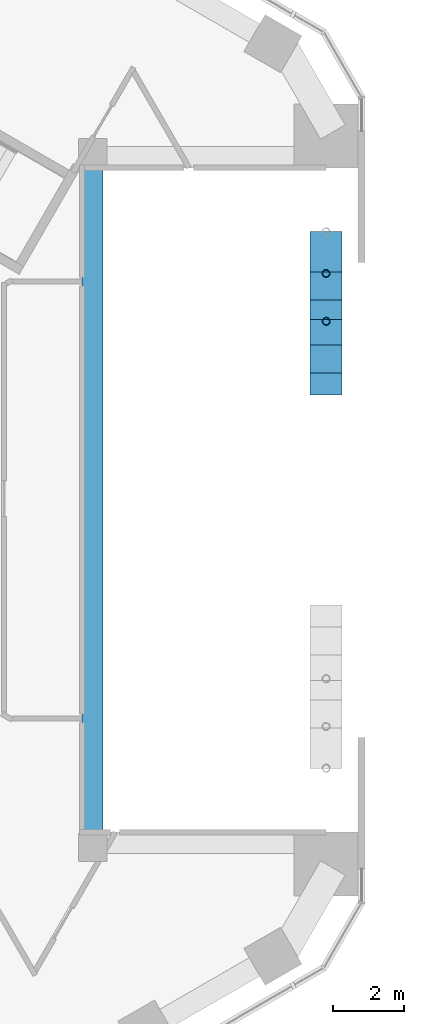
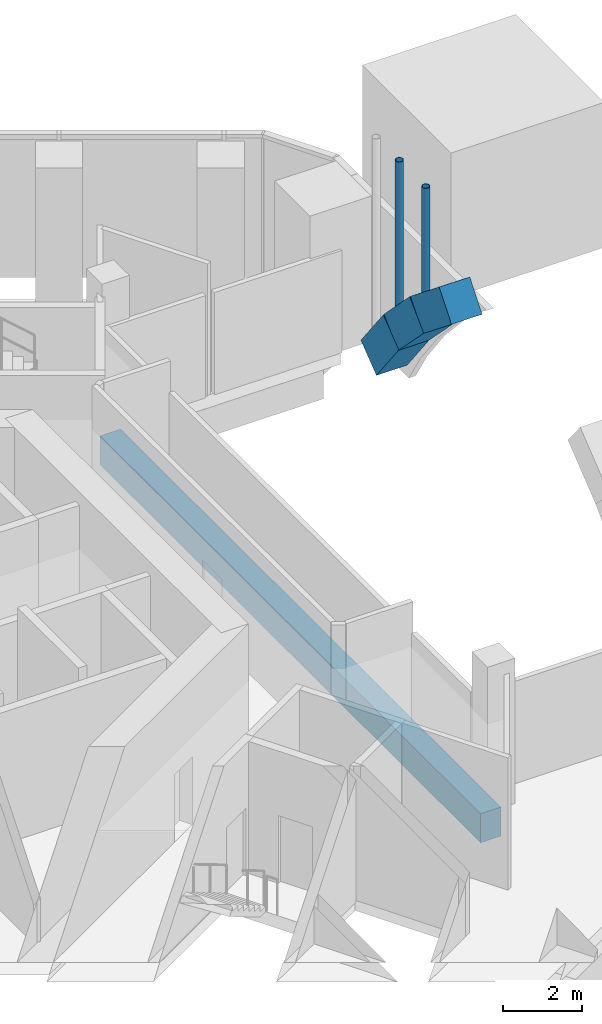
# One storey, part 5 of 14: 4 beams, 2 members.
"""IFC4 building model written with IfcOpenShell, lengths in metres."""

from ifc_helpers import new_model, si_unit, direction, frame, origin, origin_2d, place, context, subcontext, project, spatial, rectangle, hollow_circle, extrude, material, material_profile, profile_set, type_object, element, save


model = new_model("IFC4")

# Units and contexts
model_context = context("Model", 3, precision=1e-05, world=origin(), true_north=direction((0.0, 1.0)))
body_context = subcontext(model_context, "Body", "Model", "MODEL_VIEW")
ifc_project = project(units=[si_unit("LENGTHUNIT", "METRE"), si_unit("AREAUNIT", "SQUARE_METRE"), si_unit("VOLUMEUNIT", "CUBIC_METRE"), si_unit("PLANEANGLEUNIT", "RADIAN"), si_unit("MASSUNIT", "GRAM", prefix="KILO")], contexts=[model_context])

# Site, building, storey
site_placement = place(None, origin())
site = spatial("IfcSite", under=ifc_project, at=site_placement, CompositionType="ELEMENT")
building_placement = place(site_placement, origin())
building = spatial("IfcBuilding", under=site, at=building_placement, Name="Ayvan Gate Tower", CompositionType="ELEMENT")
storey_placement = place(building_placement, frame((0.0, 0.0, 11.5)))
storey = spatial("IfcBuildingStorey", under=building, at=storey_placement, Name="L02", CompositionType="ELEMENT", Elevation=11.5)

# Beams
ifc_material_1 = material(Name="Concrete C60/75", Category="concrete")
ifc_material_profile_1 = material_profile(ifc_material_1, rectangle(XDim=0.89990234375, YDim=1.0, at=origin_2d()), Name="RC 900x1000")
ifc_profile_set_1 = profile_set([ifc_material_profile_1], Name="Concrete C60/75")
beam_type_1 = type_object("IfcBeamType", Name="Arch rib RC 900x1000 C60/75", PredefinedType="BEAM", material=ifc_profile_set_1)
for number, where, z_axis, x_axis, name in (
    (1, (20.78466796875, 3.271484375, 5.262939453125), (0.0, 0.779884352811, -0.625923634512), (-1.0, 0.0, 0.0), "AR-0-13"),
    (2, (20.78466796875, 4.725830078125, 4.095703125), (0.0, 0.69980301445, -0.714335874058), (-1.0, 0.0, 0.0), "AR-0-14"),
    (3, (20.78466796875, 6.03076171875, 2.763671875), (0.0, 0.609862606667, -0.792507161475), (-1.0, 0.0, 0.0), "AR-0-15"),
):
    element("IfcBeam", number, at=place(storey_placement, frame(where, z_axis=z_axis, x_axis=x_axis)), inside=storey, type_object=beam_type_1, Name=name, PredefinedType="BEAM", context=body_context, shape_type="SweptSolid", body=[
        extrude(rectangle(XDim=0.89990234375, YDim=1.0, at=origin_2d()), origin(), (0.0, 0.0, 1.0), 1.86474609375),
    ])

# Members
ifc_material_2 = material(Name="Steel S460NH", Category="steel")
ifc_material_profile_2 = material_profile(ifc_material_2, hollow_circle(Radius=0.109619140625, WallThickness=0.012451171875, at=origin_2d()), Name="CHS 219.1x12.5")
ifc_profile_set_2 = profile_set([ifc_material_profile_2], Name="Steel S460NH")
member_type = type_object("IfcMemberType", Name="Arch rib hanger CHS 219.1x12.5", PredefinedType="STRUT", material=ifc_profile_set_2)
member_1_placement = place(storey_placement, frame((20.78466796875, 5.038818359375, 3.705810546875), z_axis=(0.0, 0.0, 1.0), x_axis=(1.0, 0.0, 0.0)))
element("IfcMember", 4, at=member_1_placement, inside=storey, type_object=member_type, Name="ARH-0-13", PredefinedType="STRUT", context=body_context, shape_type="SweptSolid", body=[
    extrude(hollow_circle(Radius=0.109619140625, WallThickness=0.012451171875, at=origin_2d()), origin(), (0.0, 0.0, 1.0), 4.044189453125),
])
member_2_placement = place(storey_placement, frame((20.78466796875, 6.387939453125, 2.413818359375), z_axis=(0.0, 0.0, 1.0), x_axis=(1.0, 0.0, 0.0)))
element("IfcMember", 5, at=member_2_placement, inside=storey, type_object=member_type, Name="ARH-0-14", PredefinedType="STRUT", context=body_context, shape_type="SweptSolid", body=[
    extrude(hollow_circle(Radius=0.109619140625, WallThickness=0.012451171875, at=origin_2d()), origin(), (0.0, 0.0, 1.0), 5.336181640625),
])

# Beam
ifc_material_3 = material(Name="Concrete C40/50", Category="concrete")
ifc_material_profile_3 = material_profile(ifc_material_3, rectangle(XDim=0.60009765625, YDim=0.89990234375, at=origin_2d()), Name="RC 600x900")
ifc_profile_set_3 = profile_set([ifc_material_profile_3], Name="Concrete C40/50")
beam_type_2 = type_object("IfcBeamType", Name="Opening edge beam RC 600x900 C40/50", PredefinedType="BEAM", material=ifc_profile_set_3)
beam_placement = place(storey_placement, frame((14.199951171875, -9.66796875, -0.85009765625), z_axis=(0.0, 1.0, 0.0), x_axis=(-1.0, 0.0, 0.0)))
element("IfcBeam", 6, at=beam_placement, inside=storey, type_object=beam_type_2, Name="OB-L02-0-C", PredefinedType="BEAM", context=body_context, shape_type="SweptSolid", body=[
    extrude(rectangle(XDim=0.60009765625, YDim=0.89990234375, at=origin_2d()), origin(), (0.0, 0.0, 1.0), 19.3359375),
])

save(model, "model.ifc")
